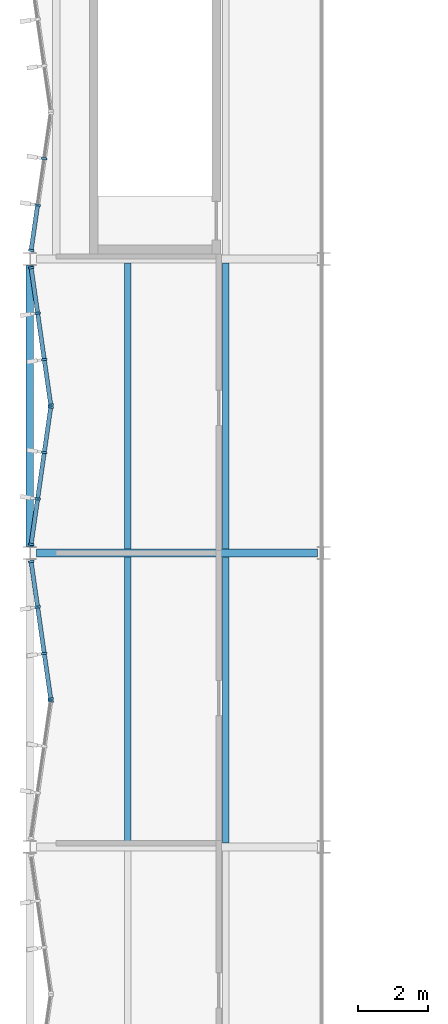
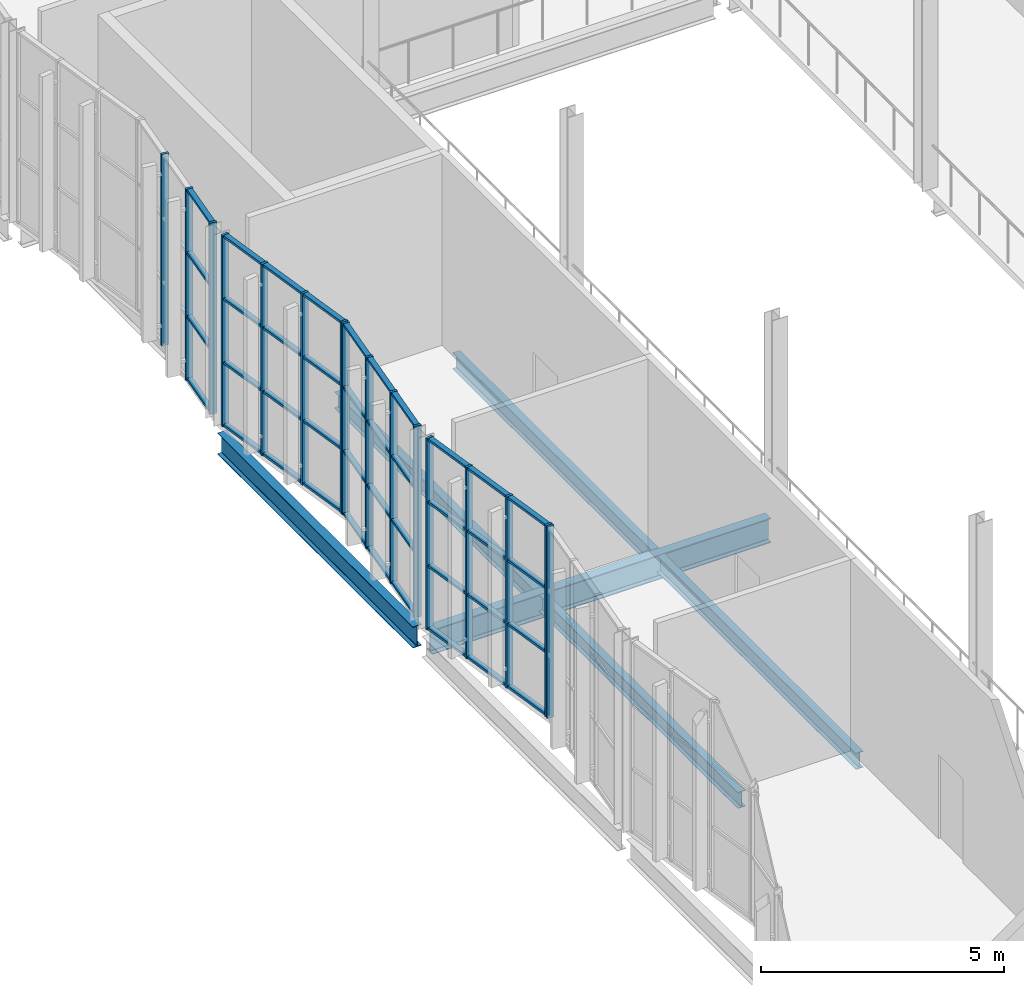
# One storey, part 32 of 116: 56 members, 6 beams, 5 elements without a shape of their own.
"""IFC4 building model written with IfcOpenShell, lengths in metres."""

from ifc_helpers import new_model, si_unit, direction, frame, origin, origin_2d, place, context, subcontext, project, spatial, rectangle, i_section, extrude, material, material_profile, profile_set, type_object, element, aggregate, save


model = new_model("IFC4")

# Units and contexts
model_context = context("Model", 3, precision=1e-05, world=origin(), true_north=direction((0.0, 1.0)))
body_context = subcontext(model_context, "Body", "Model", "MODEL_VIEW")
ifc_project = project(units=[si_unit("LENGTHUNIT", "METRE"), si_unit("AREAUNIT", "SQUARE_METRE"), si_unit("VOLUMEUNIT", "CUBIC_METRE"), si_unit("PLANEANGLEUNIT", "RADIAN"), si_unit("MASSUNIT", "GRAM", prefix="KILO")], contexts=[model_context])

# Site, building, storey
site_placement = place(None, origin())
site = spatial("IfcSite", under=ifc_project, at=site_placement, CompositionType="ELEMENT")
building_placement = place(site_placement, origin())
building = spatial("IfcBuilding", under=site, at=building_placement, Name="Ljudholm Concert House", CompositionType="ELEMENT")
storey_placement = place(building_placement, frame((0.0, 0.0, 10.199951171875)))
storey = spatial("IfcBuildingStorey", under=building, at=storey_placement, Name="L02", CompositionType="ELEMENT", Elevation=10.199951171875)

# Curtain wall, member
ifc_material_1 = material(Name="Aluminium curtain wall with impact-rated laminated glass", Category="aluminium")
curtain_wall_type = type_object("IfcCurtainWallType", Name="CURTAIN WALL 1400", PredefinedType="NOTDEFINED", material=ifc_material_1)
curtain_wall_1_placement = place(storey_placement, origin())
curtain_wall_1 = element("IfcCurtainWall", 1, at=curtain_wall_1_placement, inside=storey, type_object=curtain_wall_type, Name="Facade curtain wall", PredefinedType="NOTDEFINED")
ifc_material_2 = material(Name="Aluminium extrusion", Category="aluminium")
ifc_material_profile_1 = material_profile(ifc_material_2, rectangle(XDim=0.159912109375, YDim=0.06005859375, at=origin_2d()), Name="MULLION 60x160")
ifc_profile_set_1 = profile_set([ifc_material_profile_1], Name="Aluminium extrusion")
member_type_1 = type_object("IfcMemberType", Name="MULLION 60x160", PredefinedType="MULLION", material=ifc_profile_set_1)
member_1_placement = place(storey_placement, frame((4.595703125, 83.770263671875, 0.0), z_axis=(0.0, 0.0, 1.0), x_axis=(-0.989949493647, 0.141421356338, 0.0)))
member_1 = element("IfcMember", 2, at=member_1_placement, type_object=member_type_1, Name="Mullion", PredefinedType="MULLION", context=body_context, shape_type="SweptSolid", body=[
    extrude(rectangle(XDim=0.159912109375, YDim=0.06005859375, at=origin_2d()), origin(), (0.0, 0.0, 1.0), 4.800048828125),
])
aggregate(curtain_wall_1, [member_1])

# Curtain wall, members
curtain_wall_2_placement = place(storey_placement, origin())
curtain_wall_2 = element("IfcCurtainWall", 3, at=curtain_wall_2_placement, inside=storey, type_object=curtain_wall_type, Name="Facade curtain wall", PredefinedType="NOTDEFINED")
member_2_placement = place(storey_placement, frame((4.595703125, 83.82958984375, 0.0), z_axis=(0.0, 0.0, 1.0), x_axis=(-0.989949493647, -0.141421356338, 0.0)))
member_2 = element("IfcMember", 4, at=member_2_placement, type_object=member_type_1, Name="Mullion", PredefinedType="MULLION", context=body_context, shape_type="SweptSolid", body=[
    extrude(rectangle(XDim=0.159912109375, YDim=0.06005859375, at=origin_2d()), origin(), (0.0, 0.0, 1.0), 4.800048828125),
])
member_3_placement = place(storey_placement, frame((4.410400390625, 85.12744140625, 0.0), z_axis=(0.0, 0.0, 1.0), x_axis=(-0.989949493647, -0.141421356338, 0.0)))
member_3 = element("IfcMember", 5, at=member_3_placement, type_object=member_type_1, Name="Mullion", PredefinedType="MULLION", context=body_context, shape_type="SweptSolid", body=[
    extrude(rectangle(XDim=0.159912109375, YDim=0.06005859375, at=origin_2d()), origin(), (0.0, 0.0, 1.0), 4.800048828125),
])
member_4_placement = place(storey_placement, frame((4.220703125, 86.454833984375, 0.0), z_axis=(0.0, 0.0, 1.0), x_axis=(-0.989949493647, -0.141421356338, 0.0)))
member_4 = element("IfcMember", 6, at=member_4_placement, type_object=member_type_1, Name="Mullion", PredefinedType="MULLION", context=body_context, shape_type="SweptSolid", body=[
    extrude(rectangle(XDim=0.159912109375, YDim=0.06005859375, at=origin_2d()), origin(), (0.0, 0.0, 1.0), 4.800048828125),
])
member_5_placement = place(storey_placement, frame((4.035400390625, 87.75244140625, 0.0), z_axis=(0.0, 0.0, 1.0), x_axis=(-0.989949493647, -0.141421356338, 0.0)))
member_5 = element("IfcMember", 7, at=member_5_placement, type_object=member_type_1, Name="Mullion", PredefinedType="MULLION", context=body_context, shape_type="SweptSolid", body=[
    extrude(rectangle(XDim=0.159912109375, YDim=0.06005859375, at=origin_2d()), origin(), (0.0, 0.0, 1.0), 4.800048828125),
])

curtain_wall_3_placement = place(storey_placement, origin())
curtain_wall_3 = element("IfcCurtainWall", 8, at=curtain_wall_3_placement, inside=storey, type_object=curtain_wall_type, Name="Facade curtain wall", PredefinedType="NOTDEFINED")
member_6_placement = place(storey_placement, frame((4.035400390625, 88.24755859375, 0.0), z_axis=(0.0, 0.0, 1.0), x_axis=(-0.989949493647, 0.141421356338, 0.0)))
member_6 = element("IfcMember", 9, at=member_6_placement, type_object=member_type_1, Name="Mullion", PredefinedType="MULLION", context=body_context, shape_type="SweptSolid", body=[
    extrude(rectangle(XDim=0.159912109375, YDim=0.06005859375, at=origin_2d()), origin(), (0.0, 0.0, 1.0), 4.800048828125),
])
member_7_placement = place(storey_placement, frame((4.220703125, 89.545166015625, 0.0), z_axis=(0.0, 0.0, 1.0), x_axis=(-0.989949493647, 0.141421356338, 0.0)))
member_7 = element("IfcMember", 10, at=member_7_placement, type_object=member_type_1, Name="Mullion", PredefinedType="MULLION", context=body_context, shape_type="SweptSolid", body=[
    extrude(rectangle(XDim=0.159912109375, YDim=0.06005859375, at=origin_2d()), origin(), (0.0, 0.0, 1.0), 4.800048828125),
])
member_8_placement = place(storey_placement, frame((4.410400390625, 90.87255859375, 0.0), z_axis=(0.0, 0.0, 1.0), x_axis=(-0.989949493647, 0.141421356338, 0.0)))
member_8 = element("IfcMember", 11, at=member_8_placement, type_object=member_type_1, Name="Mullion", PredefinedType="MULLION", context=body_context, shape_type="SweptSolid", body=[
    extrude(rectangle(XDim=0.159912109375, YDim=0.06005859375, at=origin_2d()), origin(), (0.0, 0.0, 1.0), 4.800048828125),
])
member_9_placement = place(storey_placement, frame((4.595703125, 92.17041015625, 0.0), z_axis=(0.0, 0.0, 1.0), x_axis=(-0.989949493647, 0.141421356338, 0.0)))
member_9 = element("IfcMember", 12, at=member_9_placement, type_object=member_type_1, Name="Mullion", PredefinedType="MULLION", context=body_context, shape_type="SweptSolid", body=[
    extrude(rectangle(XDim=0.159912109375, YDim=0.06005859375, at=origin_2d()), origin(), (0.0, 0.0, 1.0), 4.800048828125),
])

curtain_wall_4_placement = place(storey_placement, origin())
curtain_wall_4 = element("IfcCurtainWall", 13, at=curtain_wall_4_placement, inside=storey, type_object=curtain_wall_type, Name="Facade curtain wall", PredefinedType="NOTDEFINED")
member_10_placement = place(storey_placement, frame((4.595703125, 92.229736328125, 0.0), z_axis=(0.0, 0.0, 1.0), x_axis=(-0.989949493647, -0.141421356338, 0.0)))
member_10 = element("IfcMember", 14, at=member_10_placement, type_object=member_type_1, Name="Mullion", PredefinedType="MULLION", context=body_context, shape_type="SweptSolid", body=[
    extrude(rectangle(XDim=0.159912109375, YDim=0.06005859375, at=origin_2d()), origin(), (0.0, 0.0, 1.0), 4.800048828125),
])
member_11_placement = place(storey_placement, frame((4.410400390625, 93.52734375, 0.0), z_axis=(0.0, 0.0, 1.0), x_axis=(-0.989949493647, -0.141421356338, 0.0)))
member_11 = element("IfcMember", 15, at=member_11_placement, type_object=member_type_1, Name="Mullion", PredefinedType="MULLION", context=body_context, shape_type="SweptSolid", body=[
    extrude(rectangle(XDim=0.159912109375, YDim=0.06005859375, at=origin_2d()), origin(), (0.0, 0.0, 1.0), 4.800048828125),
])
member_12_placement = place(storey_placement, frame((4.220703125, 94.854736328125, 0.0), z_axis=(0.0, 0.0, 1.0), x_axis=(-0.989949493647, -0.141421356338, 0.0)))
member_12 = element("IfcMember", 16, at=member_12_placement, type_object=member_type_1, Name="Mullion", PredefinedType="MULLION", context=body_context, shape_type="SweptSolid", body=[
    extrude(rectangle(XDim=0.159912109375, YDim=0.06005859375, at=origin_2d()), origin(), (0.0, 0.0, 1.0), 4.800048828125),
])
member_13_placement = place(storey_placement, frame((4.035400390625, 96.152587890625, 0.0), z_axis=(0.0, 0.0, 1.0), x_axis=(-0.989949493647, -0.141421356338, 0.0)))
member_13 = element("IfcMember", 17, at=member_13_placement, type_object=member_type_1, Name="Mullion", PredefinedType="MULLION", context=body_context, shape_type="SweptSolid", body=[
    extrude(rectangle(XDim=0.159912109375, YDim=0.06005859375, at=origin_2d()), origin(), (0.0, 0.0, 1.0), 4.800048828125),
])

curtain_wall_5_placement = place(storey_placement, origin())
curtain_wall_5 = element("IfcCurtainWall", 18, at=curtain_wall_5_placement, inside=storey, type_object=curtain_wall_type, Name="Facade curtain wall", PredefinedType="NOTDEFINED")
member_14_placement = place(storey_placement, frame((4.035400390625, 96.6474609375, 0.0), z_axis=(0.0, 0.0, 1.0), x_axis=(-0.989949493647, 0.141421356338, 0.0)))
member_14 = element("IfcMember", 19, at=member_14_placement, type_object=member_type_1, Name="Mullion", PredefinedType="MULLION", context=body_context, shape_type="SweptSolid", body=[
    extrude(rectangle(XDim=0.159912109375, YDim=0.06005859375, at=origin_2d()), origin(), (0.0, 0.0, 1.0), 4.800048828125),
])
member_15_placement = place(storey_placement, frame((4.220703125, 97.9453125, 0.0), z_axis=(0.0, 0.0, 1.0), x_axis=(-0.989949493647, 0.141421356338, 0.0)))
member_15 = element("IfcMember", 20, at=member_15_placement, type_object=member_type_1, Name="Mullion", PredefinedType="MULLION", context=body_context, shape_type="SweptSolid", body=[
    extrude(rectangle(XDim=0.159912109375, YDim=0.06005859375, at=origin_2d()), origin(), (0.0, 0.0, 1.0), 4.800048828125),
])
member_16_placement = place(storey_placement, frame((4.410400390625, 99.272705078125, 0.0), z_axis=(0.0, 0.0, 1.0), x_axis=(-0.989949493647, 0.141421356338, 0.0)))
member_16 = element("IfcMember", 21, at=member_16_placement, type_object=member_type_1, Name="Mullion", PredefinedType="MULLION", context=body_context, shape_type="SweptSolid", body=[
    extrude(rectangle(XDim=0.159912109375, YDim=0.06005859375, at=origin_2d()), origin(), (0.0, 0.0, 1.0), 4.800048828125),
])

# Beams
ifc_material_3 = material(Name="Steel ASTM A992", Category="steel")
ifc_material_profile_2 = material_profile(ifc_material_3, i_section(OverallWidth=0.177734375, OverallDepth=0.406494140625, WebThickness=0.0078125, FlangeThickness=0.012939453125, FilletRadius=0.01025390625, at=origin_2d()), Name="W16X40")
ifc_profile_set_2 = profile_set([ifc_material_profile_2], Name="Steel ASTM A992")
beam_type_1 = type_object("IfcBeamType", Name="STEEL BEAM W16X40", PredefinedType="BEAM", material=ifc_profile_set_2)
for number, where, z_axis, x_axis, name in (
    (22, (6.800048828125, 79.714599609375, -0.383056640625), (0.0, 1.0, 0.0), (-1.0, 0.0, 0.0), "Secondary beam"),
    (23, (6.800048828125, 88.114501953125, -0.383056640625), (0.0, 1.0, 0.0), (-1.0, 0.0, 0.0), "Secondary beam"),
    (24, (9.60009765625, 79.714599609375, -0.383056640625), (0.0, 1.0, 0.0), (-1.0, 0.0, 0.0), "Secondary beam"),
    (25, (9.60009765625, 88.114501953125, -0.383056640625), (0.0, 1.0, 0.0), (-1.0, 0.0, 0.0), "Secondary beam"),
):
    element("IfcBeam", number, at=place(storey_placement, frame(where, z_axis=z_axis, x_axis=x_axis)), inside=storey, type_object=beam_type_1, Name=name, PredefinedType="BEAM", context=body_context, shape_type="SweptSolid", body=[
        extrude(i_section(OverallWidth=0.177734375, OverallDepth=0.406494140625, WebThickness=0.0078125, FlangeThickness=0.012939453125, FilletRadius=0.01025390625, at=origin_2d()), origin(), (0.0, 0.0, 1.0), 8.1708984375),
    ])
ifc_material_4 = material(Name="Steel ASTM A992", Category="steel")
ifc_material_profile_3 = material_profile(ifc_material_4, i_section(OverallWidth=0.209228515625, OverallDepth=0.533447265625, WebThickness=0.01025390625, FlangeThickness=0.015625, FilletRadius=0.012939453125, at=origin_2d()), Name="W21X62")
ifc_profile_set_3 = profile_set([ifc_material_profile_3], Name="Steel ASTM A992")
beam_type_2 = type_object("IfcBeamType", Name="STEEL BEAM W21X62", PredefinedType="BEAM", material=ifc_profile_set_3)
beam_1_placement = place(storey_placement, frame((4.0, 88.186767578125, -0.446533203125), z_axis=(0.0, 1.0, 0.0), x_axis=(-1.0, 0.0, 0.0)))
element("IfcBeam", 26, at=beam_1_placement, inside=storey, type_object=beam_type_2, Name="Floor edge beam", PredefinedType="BEAM", context=body_context, shape_type="SweptSolid", body=[
    extrude(i_section(OverallWidth=0.209228515625, OverallDepth=0.533447265625, WebThickness=0.01025390625, FlangeThickness=0.015625, FilletRadius=0.012939453125, at=origin_2d()), origin(), (0.0, 0.0, 1.0), 8.026611328125),
])
ifc_material_5 = material(Name="Steel ASTM A992", Category="steel")
ifc_material_profile_4 = material_profile(ifc_material_5, i_section(OverallWidth=0.22900390625, OverallDepth=0.612060546875, WebThickness=0.011962890625, FlangeThickness=0.01953125, FilletRadius=0.0126953125, at=origin_2d()), Name="W24X84")
ifc_profile_set_4 = profile_set([ifc_material_profile_4], Name="Steel ASTM A992")
beam_type_3 = type_object("IfcBeamType", Name="STEEL BEAM W24X84", PredefinedType="BEAM", material=ifc_profile_set_4)
beam_2_placement = place(storey_placement, frame((4.186767578125, 88.0, -0.486083984375), z_axis=(1.0, 0.0, 0.0), x_axis=(0.0, 1.0, 0.0)))
element("IfcBeam", 27, at=beam_2_placement, inside=storey, type_object=beam_type_3, Name="Floor girder", PredefinedType="BEAM", context=body_context, shape_type="SweptSolid", body=[
    extrude(i_section(OverallWidth=0.22900390625, OverallDepth=0.612060546875, WebThickness=0.011962890625, FlangeThickness=0.01953125, FilletRadius=0.0126953125, at=origin_2d()), origin(), (0.0, 0.0, 1.0), 8.026611328125),
])

# Member
ifc_material_6 = material(Name="Aluminium extrusion", Category="aluminium")
ifc_material_profile_5 = material_profile(ifc_material_6, rectangle(XDim=0.1201171875, YDim=0.06005859375, at=origin_2d()), Name="TRANSOM 60x120")
ifc_profile_set_5 = profile_set([ifc_material_profile_5], Name="Aluminium extrusion")
member_type_2 = type_object("IfcMemberType", Name="TRANSOM 60x120", PredefinedType="USERDEFINED", material=ifc_profile_set_5)
member_17_placement = place(storey_placement, frame((4.591552734375, 83.859375, 0.030029296875), z_axis=(-0.141503330095, 0.989937779647, 0.0), x_axis=(-0.989937779647, -0.141503330095, 0.0)))
member_17 = element("IfcMember", 28, at=member_17_placement, type_object=member_type_2, Name="Transom", ObjectType="TRANSOM", PredefinedType="USERDEFINED", context=body_context, shape_type="SweptSolid", body=[
    extrude(rectangle(XDim=0.1201171875, YDim=0.06005859375, at=origin_2d()), origin(), (0.0, 0.0, 1.0), 1.2509765625),
])

member_18_placement = place(storey_placement, frame((4.591552734375, 83.859375, 1.60009765625), z_axis=(-0.141503330095, 0.989937779647, 0.0), x_axis=(-0.989937779647, -0.141503330095, 0.0)))
member_18 = element("IfcMember", 29, at=member_18_placement, type_object=member_type_2, Name="Transom", ObjectType="TRANSOM", PredefinedType="USERDEFINED", context=body_context, shape_type="SweptSolid", body=[
    extrude(rectangle(XDim=0.1201171875, YDim=0.06005859375, at=origin_2d()), origin(), (0.0, 0.0, 1.0), 1.2509765625),
])

member_19_placement = place(storey_placement, frame((4.591552734375, 83.859375, 3.199951171875), z_axis=(-0.141503330095, 0.989937779647, 0.0), x_axis=(-0.989937779647, -0.141503330095, 0.0)))
member_19 = element("IfcMember", 30, at=member_19_placement, type_object=member_type_2, Name="Transom", ObjectType="TRANSOM", PredefinedType="USERDEFINED", context=body_context, shape_type="SweptSolid", body=[
    extrude(rectangle(XDim=0.1201171875, YDim=0.06005859375, at=origin_2d()), origin(), (0.0, 0.0, 1.0), 1.2509765625),
])

member_20_placement = place(storey_placement, frame((4.591552734375, 83.859375, 4.77001953125), z_axis=(-0.141503330095, 0.989937779647, 0.0), x_axis=(-0.989937779647, -0.141503330095, 0.0)))
member_20 = element("IfcMember", 31, at=member_20_placement, type_object=member_type_2, Name="Transom", ObjectType="TRANSOM", PredefinedType="USERDEFINED", context=body_context, shape_type="SweptSolid", body=[
    extrude(rectangle(XDim=0.1201171875, YDim=0.06005859375, at=origin_2d()), origin(), (0.0, 0.0, 1.0), 1.2509765625),
])

member_21_placement = place(storey_placement, frame((4.40625, 85.156982421875, 0.030029296875), z_axis=(-0.141421356237, 0.989949493661, 0.0), x_axis=(-0.989949493661, -0.141421356237, 0.0)))
member_21 = element("IfcMember", 32, at=member_21_placement, type_object=member_type_2, Name="Transom", ObjectType="TRANSOM", PredefinedType="USERDEFINED", context=body_context, shape_type="SweptSolid", body=[
    extrude(rectangle(XDim=0.1201171875, YDim=0.06005859375, at=origin_2d()), origin(), (0.0, 0.0, 1.0), 1.281005859375),
])

member_22_placement = place(storey_placement, frame((4.40625, 85.156982421875, 1.60009765625), z_axis=(-0.141421356237, 0.989949493661, 0.0), x_axis=(-0.989949493661, -0.141421356237, 0.0)))
member_22 = element("IfcMember", 33, at=member_22_placement, type_object=member_type_2, Name="Transom", ObjectType="TRANSOM", PredefinedType="USERDEFINED", context=body_context, shape_type="SweptSolid", body=[
    extrude(rectangle(XDim=0.1201171875, YDim=0.06005859375, at=origin_2d()), origin(), (0.0, 0.0, 1.0), 1.281005859375),
])

member_23_placement = place(storey_placement, frame((4.40625, 85.156982421875, 3.199951171875), z_axis=(-0.141421356237, 0.989949493661, 0.0), x_axis=(-0.989949493661, -0.141421356237, 0.0)))
member_23 = element("IfcMember", 34, at=member_23_placement, type_object=member_type_2, Name="Transom", ObjectType="TRANSOM", PredefinedType="USERDEFINED", context=body_context, shape_type="SweptSolid", body=[
    extrude(rectangle(XDim=0.1201171875, YDim=0.06005859375, at=origin_2d()), origin(), (0.0, 0.0, 1.0), 1.281005859375),
])

member_24_placement = place(storey_placement, frame((4.40625, 85.156982421875, 4.77001953125), z_axis=(-0.141421356237, 0.989949493661, 0.0), x_axis=(-0.989949493661, -0.141421356237, 0.0)))
member_24 = element("IfcMember", 35, at=member_24_placement, type_object=member_type_2, Name="Transom", ObjectType="TRANSOM", PredefinedType="USERDEFINED", context=body_context, shape_type="SweptSolid", body=[
    extrude(rectangle(XDim=0.1201171875, YDim=0.06005859375, at=origin_2d()), origin(), (0.0, 0.0, 1.0), 1.281005859375),
])

member_25_placement = place(storey_placement, frame((4.216552734375, 86.484619140625, 0.030029296875), z_axis=(-0.141503330095, 0.989937779647, 0.0), x_axis=(-0.989937779647, -0.141503330095, 0.0)))
member_25 = element("IfcMember", 36, at=member_25_placement, type_object=member_type_2, Name="Transom", ObjectType="TRANSOM", PredefinedType="USERDEFINED", context=body_context, shape_type="SweptSolid", body=[
    extrude(rectangle(XDim=0.1201171875, YDim=0.06005859375, at=origin_2d()), origin(), (0.0, 0.0, 1.0), 1.2509765625),
])

member_26_placement = place(storey_placement, frame((4.216552734375, 86.484619140625, 1.60009765625), z_axis=(-0.141503330095, 0.989937779647, 0.0), x_axis=(-0.989937779647, -0.141503330095, 0.0)))
member_26 = element("IfcMember", 37, at=member_26_placement, type_object=member_type_2, Name="Transom", ObjectType="TRANSOM", PredefinedType="USERDEFINED", context=body_context, shape_type="SweptSolid", body=[
    extrude(rectangle(XDim=0.1201171875, YDim=0.06005859375, at=origin_2d()), origin(), (0.0, 0.0, 1.0), 1.2509765625),
])

member_27_placement = place(storey_placement, frame((4.216552734375, 86.484619140625, 3.199951171875), z_axis=(-0.141503330095, 0.989937779647, 0.0), x_axis=(-0.989937779647, -0.141503330095, 0.0)))
member_27 = element("IfcMember", 38, at=member_27_placement, type_object=member_type_2, Name="Transom", ObjectType="TRANSOM", PredefinedType="USERDEFINED", context=body_context, shape_type="SweptSolid", body=[
    extrude(rectangle(XDim=0.1201171875, YDim=0.06005859375, at=origin_2d()), origin(), (0.0, 0.0, 1.0), 1.2509765625),
])

member_28_placement = place(storey_placement, frame((4.216552734375, 86.484619140625, 4.77001953125), z_axis=(-0.141503330095, 0.989937779647, 0.0), x_axis=(-0.989937779647, -0.141503330095, 0.0)))
member_28 = element("IfcMember", 39, at=member_28_placement, type_object=member_type_2, Name="Transom", ObjectType="TRANSOM", PredefinedType="USERDEFINED", context=body_context, shape_type="SweptSolid", body=[
    extrude(rectangle(XDim=0.1201171875, YDim=0.06005859375, at=origin_2d()), origin(), (0.0, 0.0, 1.0), 1.2509765625),
])

aggregate(curtain_wall_2, [member_2, member_3, member_4, member_5, member_17, member_18, member_19, member_20, member_21, member_22, member_23, member_24, member_25, member_26, member_27, member_28])

member_29_placement = place(storey_placement, frame((4.03955078125, 88.277099609375, 0.030029296875), z_axis=(0.141503330095, 0.989937779647, 0.0), x_axis=(-0.989937779647, 0.141503330095, 0.0)))
member_29 = element("IfcMember", 40, at=member_29_placement, type_object=member_type_2, Name="Transom", ObjectType="TRANSOM", PredefinedType="USERDEFINED", context=body_context, shape_type="SweptSolid", body=[
    extrude(rectangle(XDim=0.1201171875, YDim=0.06005859375, at=origin_2d()), origin(), (0.0, 0.0, 1.0), 1.2509765625),
])

member_30_placement = place(storey_placement, frame((4.03955078125, 88.277099609375, 1.60009765625), z_axis=(0.141503330095, 0.989937779647, 0.0), x_axis=(-0.989937779647, 0.141503330095, 0.0)))
member_30 = element("IfcMember", 41, at=member_30_placement, type_object=member_type_2, Name="Transom", ObjectType="TRANSOM", PredefinedType="USERDEFINED", context=body_context, shape_type="SweptSolid", body=[
    extrude(rectangle(XDim=0.1201171875, YDim=0.06005859375, at=origin_2d()), origin(), (0.0, 0.0, 1.0), 1.2509765625),
])

member_31_placement = place(storey_placement, frame((4.03955078125, 88.277099609375, 3.199951171875), z_axis=(0.141503330095, 0.989937779647, 0.0), x_axis=(-0.989937779647, 0.141503330095, 0.0)))
member_31 = element("IfcMember", 42, at=member_31_placement, type_object=member_type_2, Name="Transom", ObjectType="TRANSOM", PredefinedType="USERDEFINED", context=body_context, shape_type="SweptSolid", body=[
    extrude(rectangle(XDim=0.1201171875, YDim=0.06005859375, at=origin_2d()), origin(), (0.0, 0.0, 1.0), 1.2509765625),
])

member_32_placement = place(storey_placement, frame((4.03955078125, 88.277099609375, 4.77001953125), z_axis=(0.141503330095, 0.989937779647, 0.0), x_axis=(-0.989937779647, 0.141503330095, 0.0)))
member_32 = element("IfcMember", 43, at=member_32_placement, type_object=member_type_2, Name="Transom", ObjectType="TRANSOM", PredefinedType="USERDEFINED", context=body_context, shape_type="SweptSolid", body=[
    extrude(rectangle(XDim=0.1201171875, YDim=0.06005859375, at=origin_2d()), origin(), (0.0, 0.0, 1.0), 1.2509765625),
])

member_33_placement = place(storey_placement, frame((4.22509765625, 89.574951171875, 0.030029296875), z_axis=(0.141421356237, 0.989949493661, 0.0), x_axis=(-0.989949493661, 0.141421356237, 0.0)))
member_33 = element("IfcMember", 44, at=member_33_placement, type_object=member_type_2, Name="Transom", ObjectType="TRANSOM", PredefinedType="USERDEFINED", context=body_context, shape_type="SweptSolid", body=[
    extrude(rectangle(XDim=0.1201171875, YDim=0.06005859375, at=origin_2d()), origin(), (0.0, 0.0, 1.0), 1.281005859375),
])

member_34_placement = place(storey_placement, frame((4.22509765625, 89.574951171875, 1.60009765625), z_axis=(0.141421356237, 0.989949493661, 0.0), x_axis=(-0.989949493661, 0.141421356237, 0.0)))
member_34 = element("IfcMember", 45, at=member_34_placement, type_object=member_type_2, Name="Transom", ObjectType="TRANSOM", PredefinedType="USERDEFINED", context=body_context, shape_type="SweptSolid", body=[
    extrude(rectangle(XDim=0.1201171875, YDim=0.06005859375, at=origin_2d()), origin(), (0.0, 0.0, 1.0), 1.281005859375),
])

member_35_placement = place(storey_placement, frame((4.22509765625, 89.574951171875, 3.199951171875), z_axis=(0.141421356237, 0.989949493661, 0.0), x_axis=(-0.989949493661, 0.141421356237, 0.0)))
member_35 = element("IfcMember", 46, at=member_35_placement, type_object=member_type_2, Name="Transom", ObjectType="TRANSOM", PredefinedType="USERDEFINED", context=body_context, shape_type="SweptSolid", body=[
    extrude(rectangle(XDim=0.1201171875, YDim=0.06005859375, at=origin_2d()), origin(), (0.0, 0.0, 1.0), 1.281005859375),
])

member_36_placement = place(storey_placement, frame((4.22509765625, 89.574951171875, 4.77001953125), z_axis=(0.141421356237, 0.989949493661, 0.0), x_axis=(-0.989949493661, 0.141421356237, 0.0)))
member_36 = element("IfcMember", 47, at=member_36_placement, type_object=member_type_2, Name="Transom", ObjectType="TRANSOM", PredefinedType="USERDEFINED", context=body_context, shape_type="SweptSolid", body=[
    extrude(rectangle(XDim=0.1201171875, YDim=0.06005859375, at=origin_2d()), origin(), (0.0, 0.0, 1.0), 1.281005859375),
])

member_37_placement = place(storey_placement, frame((4.41455078125, 90.90234375, 0.030029296875), z_axis=(0.141503330095, 0.989937779647, 0.0), x_axis=(-0.989937779647, 0.141503330095, 0.0)))
member_37 = element("IfcMember", 48, at=member_37_placement, type_object=member_type_2, Name="Transom", ObjectType="TRANSOM", PredefinedType="USERDEFINED", context=body_context, shape_type="SweptSolid", body=[
    extrude(rectangle(XDim=0.1201171875, YDim=0.06005859375, at=origin_2d()), origin(), (0.0, 0.0, 1.0), 1.2509765625),
])

member_38_placement = place(storey_placement, frame((4.41455078125, 90.90234375, 1.60009765625), z_axis=(0.141503330095, 0.989937779647, 0.0), x_axis=(-0.989937779647, 0.141503330095, 0.0)))
member_38 = element("IfcMember", 49, at=member_38_placement, type_object=member_type_2, Name="Transom", ObjectType="TRANSOM", PredefinedType="USERDEFINED", context=body_context, shape_type="SweptSolid", body=[
    extrude(rectangle(XDim=0.1201171875, YDim=0.06005859375, at=origin_2d()), origin(), (0.0, 0.0, 1.0), 1.2509765625),
])

member_39_placement = place(storey_placement, frame((4.41455078125, 90.90234375, 3.199951171875), z_axis=(0.141503330095, 0.989937779647, 0.0), x_axis=(-0.989937779647, 0.141503330095, 0.0)))
member_39 = element("IfcMember", 50, at=member_39_placement, type_object=member_type_2, Name="Transom", ObjectType="TRANSOM", PredefinedType="USERDEFINED", context=body_context, shape_type="SweptSolid", body=[
    extrude(rectangle(XDim=0.1201171875, YDim=0.06005859375, at=origin_2d()), origin(), (0.0, 0.0, 1.0), 1.2509765625),
])

member_40_placement = place(storey_placement, frame((4.41455078125, 90.90234375, 4.77001953125), z_axis=(0.141503330095, 0.989937779647, 0.0), x_axis=(-0.989937779647, 0.141503330095, 0.0)))
member_40 = element("IfcMember", 51, at=member_40_placement, type_object=member_type_2, Name="Transom", ObjectType="TRANSOM", PredefinedType="USERDEFINED", context=body_context, shape_type="SweptSolid", body=[
    extrude(rectangle(XDim=0.1201171875, YDim=0.06005859375, at=origin_2d()), origin(), (0.0, 0.0, 1.0), 1.2509765625),
])

aggregate(curtain_wall_3, [member_6, member_7, member_8, member_9, member_29, member_30, member_31, member_32, member_33, member_34, member_35, member_36, member_37, member_38, member_39, member_40])

member_41_placement = place(storey_placement, frame((4.591552734375, 92.25927734375, 0.030029296875), z_axis=(-0.141475995027, 0.989941686581, 0.0), x_axis=(-0.989941686581, -0.141475995027, 0.0)))
member_41 = element("IfcMember", 52, at=member_41_placement, type_object=member_type_2, Name="Transom", ObjectType="TRANSOM", PredefinedType="USERDEFINED", context=body_context, shape_type="SweptSolid", body=[
    extrude(rectangle(XDim=0.1201171875, YDim=0.06005859375, at=origin_2d()), origin(), (0.0, 0.0, 1.0), 1.251220703125),
])

member_42_placement = place(storey_placement, frame((4.591552734375, 92.25927734375, 1.60009765625), z_axis=(-0.141475995027, 0.989941686581, 0.0), x_axis=(-0.989941686581, -0.141475995027, 0.0)))
member_42 = element("IfcMember", 53, at=member_42_placement, type_object=member_type_2, Name="Transom", ObjectType="TRANSOM", PredefinedType="USERDEFINED", context=body_context, shape_type="SweptSolid", body=[
    extrude(rectangle(XDim=0.1201171875, YDim=0.06005859375, at=origin_2d()), origin(), (0.0, 0.0, 1.0), 1.251220703125),
])

member_43_placement = place(storey_placement, frame((4.591552734375, 92.25927734375, 3.199951171875), z_axis=(-0.141475995027, 0.989941686581, 0.0), x_axis=(-0.989941686581, -0.141475995027, 0.0)))
member_43 = element("IfcMember", 54, at=member_43_placement, type_object=member_type_2, Name="Transom", ObjectType="TRANSOM", PredefinedType="USERDEFINED", context=body_context, shape_type="SweptSolid", body=[
    extrude(rectangle(XDim=0.1201171875, YDim=0.06005859375, at=origin_2d()), origin(), (0.0, 0.0, 1.0), 1.251220703125),
])

member_44_placement = place(storey_placement, frame((4.591552734375, 92.25927734375, 4.77001953125), z_axis=(-0.141475995027, 0.989941686581, 0.0), x_axis=(-0.989941686581, -0.141475995027, 0.0)))
member_44 = element("IfcMember", 55, at=member_44_placement, type_object=member_type_2, Name="Transom", ObjectType="TRANSOM", PredefinedType="USERDEFINED", context=body_context, shape_type="SweptSolid", body=[
    extrude(rectangle(XDim=0.1201171875, YDim=0.06005859375, at=origin_2d()), origin(), (0.0, 0.0, 1.0), 1.251220703125),
])

member_45_placement = place(storey_placement, frame((4.40625, 93.55712890625, 0.030029296875), z_axis=(-0.141421356237, 0.989949493661, 0.0), x_axis=(-0.989949493661, -0.141421356237, 0.0)))
member_45 = element("IfcMember", 56, at=member_45_placement, type_object=member_type_2, Name="Transom", ObjectType="TRANSOM", PredefinedType="USERDEFINED", context=body_context, shape_type="SweptSolid", body=[
    extrude(rectangle(XDim=0.1201171875, YDim=0.06005859375, at=origin_2d()), origin(), (0.0, 0.0, 1.0), 1.281005859375),
])

member_46_placement = place(storey_placement, frame((4.40625, 93.55712890625, 1.60009765625), z_axis=(-0.141421356237, 0.989949493661, 0.0), x_axis=(-0.989949493661, -0.141421356237, 0.0)))
member_46 = element("IfcMember", 57, at=member_46_placement, type_object=member_type_2, Name="Transom", ObjectType="TRANSOM", PredefinedType="USERDEFINED", context=body_context, shape_type="SweptSolid", body=[
    extrude(rectangle(XDim=0.1201171875, YDim=0.06005859375, at=origin_2d()), origin(), (0.0, 0.0, 1.0), 1.281005859375),
])

member_47_placement = place(storey_placement, frame((4.40625, 93.55712890625, 3.199951171875), z_axis=(-0.141421356237, 0.989949493661, 0.0), x_axis=(-0.989949493661, -0.141421356237, 0.0)))
member_47 = element("IfcMember", 58, at=member_47_placement, type_object=member_type_2, Name="Transom", ObjectType="TRANSOM", PredefinedType="USERDEFINED", context=body_context, shape_type="SweptSolid", body=[
    extrude(rectangle(XDim=0.1201171875, YDim=0.06005859375, at=origin_2d()), origin(), (0.0, 0.0, 1.0), 1.281005859375),
])

member_48_placement = place(storey_placement, frame((4.40625, 93.55712890625, 4.77001953125), z_axis=(-0.141421356237, 0.989949493661, 0.0), x_axis=(-0.989949493661, -0.141421356237, 0.0)))
member_48 = element("IfcMember", 59, at=member_48_placement, type_object=member_type_2, Name="Transom", ObjectType="TRANSOM", PredefinedType="USERDEFINED", context=body_context, shape_type="SweptSolid", body=[
    extrude(rectangle(XDim=0.1201171875, YDim=0.06005859375, at=origin_2d()), origin(), (0.0, 0.0, 1.0), 1.281005859375),
])

member_49_placement = place(storey_placement, frame((4.216552734375, 94.884521484375, 0.030029296875), z_axis=(-0.141503330095, 0.989937779647, 0.0), x_axis=(-0.989937779647, -0.141503330095, 0.0)))
member_49 = element("IfcMember", 60, at=member_49_placement, type_object=member_type_2, Name="Transom", ObjectType="TRANSOM", PredefinedType="USERDEFINED", context=body_context, shape_type="SweptSolid", body=[
    extrude(rectangle(XDim=0.1201171875, YDim=0.06005859375, at=origin_2d()), origin(), (0.0, 0.0, 1.0), 1.2509765625),
])

member_50_placement = place(storey_placement, frame((4.216552734375, 94.884521484375, 1.60009765625), z_axis=(-0.141503330095, 0.989937779647, 0.0), x_axis=(-0.989937779647, -0.141503330095, 0.0)))
member_50 = element("IfcMember", 61, at=member_50_placement, type_object=member_type_2, Name="Transom", ObjectType="TRANSOM", PredefinedType="USERDEFINED", context=body_context, shape_type="SweptSolid", body=[
    extrude(rectangle(XDim=0.1201171875, YDim=0.06005859375, at=origin_2d()), origin(), (0.0, 0.0, 1.0), 1.2509765625),
])

member_51_placement = place(storey_placement, frame((4.216552734375, 94.884521484375, 3.199951171875), z_axis=(-0.141503330095, 0.989937779647, 0.0), x_axis=(-0.989937779647, -0.141503330095, 0.0)))
member_51 = element("IfcMember", 62, at=member_51_placement, type_object=member_type_2, Name="Transom", ObjectType="TRANSOM", PredefinedType="USERDEFINED", context=body_context, shape_type="SweptSolid", body=[
    extrude(rectangle(XDim=0.1201171875, YDim=0.06005859375, at=origin_2d()), origin(), (0.0, 0.0, 1.0), 1.2509765625),
])

member_52_placement = place(storey_placement, frame((4.216552734375, 94.884521484375, 4.77001953125), z_axis=(-0.141503330095, 0.989937779647, 0.0), x_axis=(-0.989937779647, -0.141503330095, 0.0)))
member_52 = element("IfcMember", 63, at=member_52_placement, type_object=member_type_2, Name="Transom", ObjectType="TRANSOM", PredefinedType="USERDEFINED", context=body_context, shape_type="SweptSolid", body=[
    extrude(rectangle(XDim=0.1201171875, YDim=0.06005859375, at=origin_2d()), origin(), (0.0, 0.0, 1.0), 1.2509765625),
])

aggregate(curtain_wall_4, [member_10, member_11, member_12, member_13, member_41, member_42, member_43, member_44, member_45, member_46, member_47, member_48, member_49, member_50, member_51, member_52])

member_53_placement = place(storey_placement, frame((4.03955078125, 96.67724609375, 0.030029296875), z_axis=(0.141503330095, 0.989937779647, 0.0), x_axis=(-0.989937779647, 0.141503330095, 0.0)))
member_53 = element("IfcMember", 64, at=member_53_placement, type_object=member_type_2, Name="Transom", ObjectType="TRANSOM", PredefinedType="USERDEFINED", context=body_context, shape_type="SweptSolid", body=[
    extrude(rectangle(XDim=0.1201171875, YDim=0.06005859375, at=origin_2d()), origin(), (0.0, 0.0, 1.0), 1.2509765625),
])

member_54_placement = place(storey_placement, frame((4.03955078125, 96.67724609375, 1.60009765625), z_axis=(0.141503330095, 0.989937779647, 0.0), x_axis=(-0.989937779647, 0.141503330095, 0.0)))
member_54 = element("IfcMember", 65, at=member_54_placement, type_object=member_type_2, Name="Transom", ObjectType="TRANSOM", PredefinedType="USERDEFINED", context=body_context, shape_type="SweptSolid", body=[
    extrude(rectangle(XDim=0.1201171875, YDim=0.06005859375, at=origin_2d()), origin(), (0.0, 0.0, 1.0), 1.2509765625),
])

member_55_placement = place(storey_placement, frame((4.03955078125, 96.67724609375, 3.199951171875), z_axis=(0.141503330095, 0.989937779647, 0.0), x_axis=(-0.989937779647, 0.141503330095, 0.0)))
member_55 = element("IfcMember", 66, at=member_55_placement, type_object=member_type_2, Name="Transom", ObjectType="TRANSOM", PredefinedType="USERDEFINED", context=body_context, shape_type="SweptSolid", body=[
    extrude(rectangle(XDim=0.1201171875, YDim=0.06005859375, at=origin_2d()), origin(), (0.0, 0.0, 1.0), 1.2509765625),
])

member_56_placement = place(storey_placement, frame((4.03955078125, 96.67724609375, 4.77001953125), z_axis=(0.141503330095, 0.989937779647, 0.0), x_axis=(-0.989937779647, 0.141503330095, 0.0)))
member_56 = element("IfcMember", 67, at=member_56_placement, type_object=member_type_2, Name="Transom", ObjectType="TRANSOM", PredefinedType="USERDEFINED", context=body_context, shape_type="SweptSolid", body=[
    extrude(rectangle(XDim=0.1201171875, YDim=0.06005859375, at=origin_2d()), origin(), (0.0, 0.0, 1.0), 1.2509765625),
])

aggregate(curtain_wall_5, [member_14, member_15, member_16, member_53, member_54, member_55, member_56])

save(model, "model.ifc")
